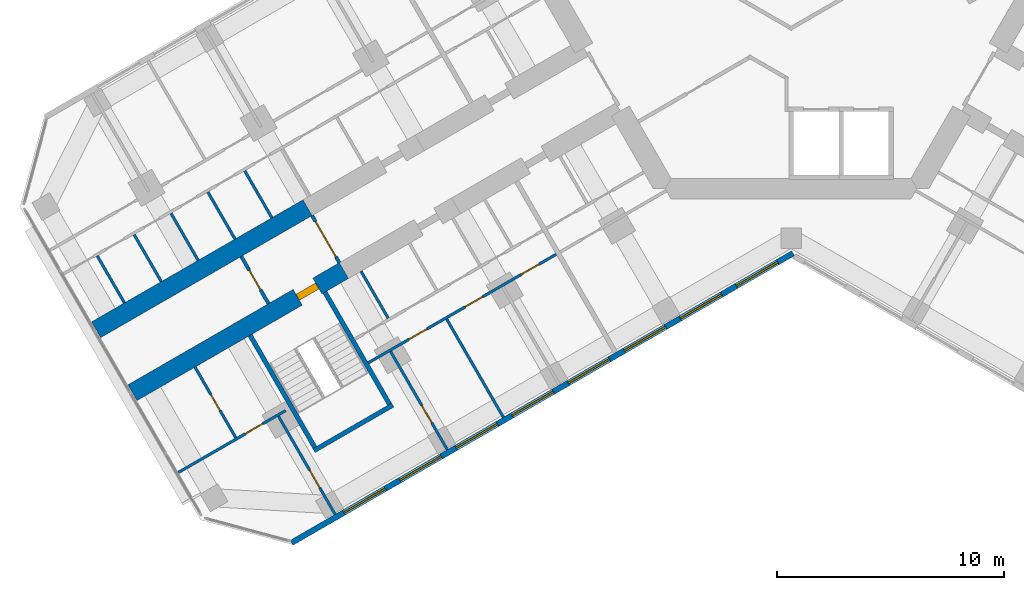
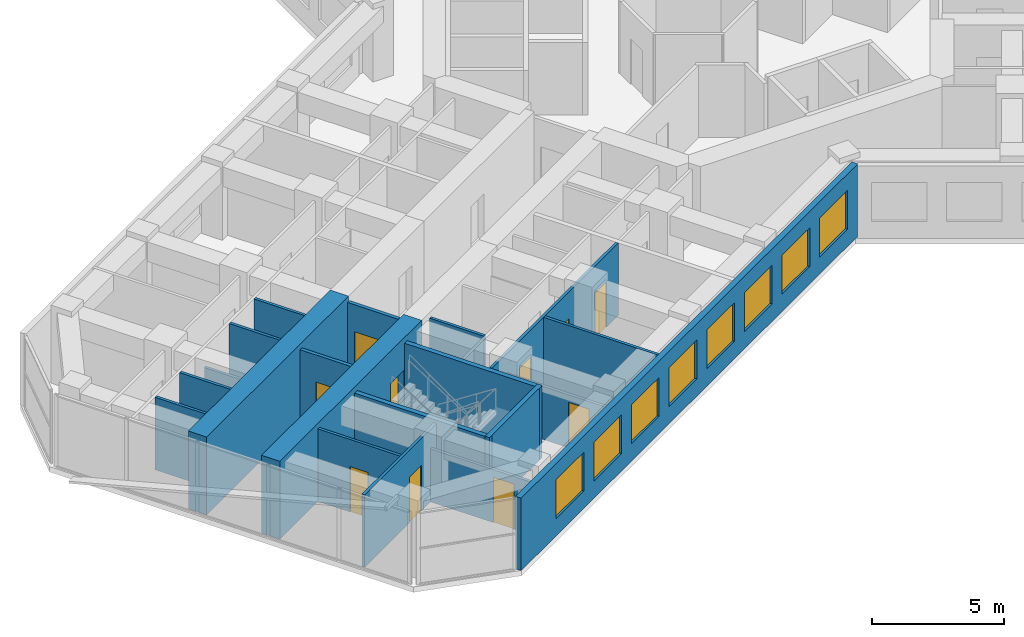
# One storey, part 10 of 19: 20 walls, 10 doors, 8 windows, 18 openings.
"""IFC4 building model written with IfcOpenShell, lengths in metres."""

import ifcopenshell
import ifcopenshell.guid

model = None  # the IFC model being written
_history = None  # IfcOwnerHistory: only IFC2X3 demands one
_inside = {}  # id of a spatial element -> (the spatial element, [elements in it])
_under = {}  # id of a project, library or spatial element -> (it, [spatial elements below it])
_declared = {}  # id of a project -> (the project, [libraries it declares])
_typed = {}  # id of a type object -> (the type object, [elements of that type])
_made_of = {}  # id of a material, layer set ... -> (it, [elements and type objects made of it])


def new_model(schema):
    """Start an empty IFC model of exactly this schema.

    Asked for "IFC4X3", IfcOpenShell would pick the latest addendum, in which some entities
    have other attributes; the version numbers below select the first issue.
    IFC2X3 requires an IfcOwnerHistory on every rooted entity: one is made here for all.
    """
    global model, _history
    if schema == "IFC4X3":
        model = ifcopenshell.file(schema_version=(4, 3, 0, 0))
    else:
        model = ifcopenshell.file(schema=schema)
    _inside.clear()
    _under.clear()
    _declared.clear()
    _typed.clear()
    _made_of.clear()
    _history = None
    if model.schema == "IFC2X3":
        org = make("IfcOrganization", Name="unknown")
        user = make(
            "IfcPersonAndOrganization",
            ThePerson=make("IfcPerson", FamilyName="unknown"),
            TheOrganization=org,
        )
        app = make(
            "IfcApplication",
            ApplicationDeveloper=org,
            Version="unknown",
            ApplicationFullName="unknown",
            ApplicationIdentifier="unknown",
        )
        _history = make(
            "IfcOwnerHistory",
            OwningUser=user,
            OwningApplication=app,
            ChangeAction="ADDED",
            CreationDate=0,
        )
    return model


def make(cls, **values):
    """One entity of the class cls with the attributes given. An attribute that is None is left unset."""
    return model.create_entity(
        cls, **{name: value for name, value in values.items() if value is not None}
    )


def rooted(cls, **values):
    """An entity with a GlobalId (a new one), such as an element, a storey or a relation."""
    return make(cls, GlobalId=ifcopenshell.guid.new(), OwnerHistory=_history, **values)


def si_unit(unit_type, name, prefix=None):
    """IfcSIUnit, for example si_unit("LENGTHUNIT", "METRE", prefix="MILLI")."""
    return make("IfcSIUnit", UnitType=unit_type, Prefix=prefix, Name=name)


def assignment(units):
    """IfcUnitAssignment: the units of a project."""
    return None if units is None else make("IfcUnitAssignment", Units=units)


def point(xyz):
    """IfcCartesianPoint."""
    return None if xyz is None else make("IfcCartesianPoint", Coordinates=xyz)


def direction(xyz):
    """IfcDirection."""
    return None if xyz is None else make("IfcDirection", DirectionRatios=xyz)


def frame(location, z_axis=None, x_axis=None):
    """IfcAxis2Placement3D, a coordinate frame: its origin and axes. An axis left out is left unset."""
    return make(
        "IfcAxis2Placement3D",
        Location=point(location),
        Axis=direction(z_axis),
        RefDirection=direction(x_axis),
    )


def frame_2d(location, x_axis=None):
    """IfcAxis2Placement2D, a coordinate frame in the plane: its origin and x axis."""
    return make(
        "IfcAxis2Placement2D", Location=point(location), RefDirection=direction(x_axis)
    )


def origin():
    """The frame at (0, 0, 0) with its axes left unset."""
    return frame((0.0, 0.0, 0.0))


def place(relative_to, where):
    """IfcLocalPlacement: puts the frame where relative to a parent placement (None: the world)."""
    return make(
        "IfcLocalPlacement", PlacementRelTo=relative_to, RelativePlacement=where
    )


def context(
    kind, dimensions, precision=None, world=None, true_north=None, identifier=None
):
    """IfcGeometricRepresentationContext, for example the 3D "Model" context."""
    return make(
        "IfcGeometricRepresentationContext",
        ContextIdentifier=identifier,
        ContextType=kind,
        CoordinateSpaceDimension=dimensions,
        Precision=precision,
        WorldCoordinateSystem=world,
        TrueNorth=true_north,
    )


def subcontext(parent, identifier, kind, view, scale=None):
    """IfcGeometricRepresentationSubContext, for example "Body" below "Model"."""
    return make(
        "IfcGeometricRepresentationSubContext",
        ContextIdentifier=identifier,
        ContextType=kind,
        ParentContext=parent,
        TargetScale=scale,
        TargetView=view,
    )


def project(units=None, contexts=None):
    """IfcProject with its units and contexts."""
    return rooted(
        "IfcProject",
        Name="project",
        RepresentationContexts=contexts,
        UnitsInContext=assignment(units),
    )


def spatial(cls, under=None, at=None, **own):
    """A site, building, storey or space (cls), placed at a placement, below another one or the project."""
    s = rooted(cls, ObjectPlacement=at, **own)
    if under is not None:
        _under.setdefault(under.id(), (under, []))[1].append(s)
    return s


def profile(cls, at=None, kind="AREA", **sizes):
    """A parametric profile (cls). Its sizes go by their IFC names, for example OverallWidth=200.0."""
    return make(cls, ProfileType=kind, Position=at, **sizes)


def rectangle(**sizes):
    """IfcRectangleProfileDef."""
    return profile("IfcRectangleProfileDef", **sizes)


def extrude(swept, where, along, depth):
    """IfcExtrudedAreaSolid: the profile swept, set in the frame where, extruded along a direction by depth."""
    return make(
        "IfcExtrudedAreaSolid",
        SweptArea=swept,
        Position=where,
        ExtrudedDirection=direction(along),
        Depth=depth,
    )


def shape(context_of_items, identifier, shape_type, items):
    """IfcShapeRepresentation: the items that make up one representation, for example the "Body"."""
    return make(
        "IfcShapeRepresentation",
        ContextOfItems=context_of_items,
        RepresentationIdentifier=identifier,
        RepresentationType=shape_type,
        Items=items,
    )


def material(Name=None, Category=None):
    """IfcMaterial."""
    return make("IfcMaterial", Name=Name, Category=Category)


def layer(
    of_material, thickness, ventilated=None, Name=None, Category=None, Priority=None
):
    """IfcMaterialLayer: one layer of a wall or slab, of a material (None: an air gap)."""
    return make(
        "IfcMaterialLayer",
        Material=of_material,
        LayerThickness=thickness,
        IsVentilated=ventilated,
        Name=Name,
        Category=Category,
        Priority=Priority,
    )


def layer_set(layers, Name=None):
    """IfcMaterialLayerSet."""
    return make("IfcMaterialLayerSet", MaterialLayers=layers, LayerSetName=Name)


def made_of(thing, what):
    """Note that an element or type object is made of a material, layer set ...; save() writes the relation."""
    if what is not None:
        _made_of.setdefault(what.id(), (what, []))[1].append(thing)
    return thing


def type_object(cls, material=None, **own):
    """A type object (cls), such as IfcWallType, which elements share."""
    return made_of(rooted(cls, **own), material)


def element(
    cls,
    number,
    at=None,
    inside=None,
    cuts=None,
    type_object=None,
    material=None,
    context=None,
    identifier="Body",
    shape_type=None,
    held_by="IfcProductDefinitionShape",
    body=None,
    shapes=None,
    **own,
):
    """One element of the class cls, such as IfcWall. Its Tag is "e" and its number.

    at: its placement. inside: the storey or other place that contains it. cuts: it is an
    opening in that element (IfcRelVoidsElement). A single representation is given by context,
    identifier, shape_type and body (its items); several are given by shapes. held_by: the class
    of the entity that holds the representations. save() writes the other relations.
    """
    e = rooted(cls, Tag="e%d" % number, ObjectPlacement=at, **own)
    if body is not None:
        shapes = [shape(context, identifier, shape_type, body)]
    if shapes is not None:
        e.Representation = make(held_by, Representations=shapes)
    if inside is not None:
        _inside.setdefault(inside.id(), (inside, []))[1].append(e)
    if cuts is not None:
        rooted(
            "IfcRelVoidsElement", RelatingBuildingElement=cuts, RelatedOpeningElement=e
        )
    if type_object is not None:
        _typed.setdefault(type_object.id(), (type_object, []))[1].append(e)
    return made_of(e, material)


def fill(opening, filler):
    """IfcRelFillsElement: the door or window that sits in an opening."""
    return rooted(
        "IfcRelFillsElement",
        RelatingOpeningElement=opening,
        RelatedBuildingElement=filler,
    )


def aggregate(whole, parts):
    """IfcRelAggregates: a whole, such as a stair, and the parts it consists of."""
    return rooted("IfcRelAggregates", RelatingObject=whole, RelatedObjects=parts)


def save(model, path):
    """Write the relations noted so far, then the file.

    IfcRelAggregates (storeys below a building ...), IfcRelContainedInSpatialStructure (elements
    in a storey), IfcRelDefinesByType, IfcRelAssociatesMaterial and IfcRelDeclares: one each for
    every whole, place, type object, material and project.
    """
    for whole, parts in _under.values():
        aggregate(whole, parts)
    for where, things in _inside.values():
        rooted(
            "IfcRelContainedInSpatialStructure",
            RelatedElements=things,
            RelatingStructure=where,
        )
    for kind, things in _typed.values():
        rooted("IfcRelDefinesByType", RelatedObjects=things, RelatingType=kind)
    for what, things in _made_of.values():
        rooted("IfcRelAssociatesMaterial", RelatedObjects=things, RelatingMaterial=what)
    for by, libraries in _declared.values():
        rooted("IfcRelDeclares", RelatingContext=by, RelatedDefinitions=libraries)
    model.write(path)


model = new_model("IFC4")

# Units and contexts
model_context = context("Model", 3, precision=1e-05, world=origin(), true_north=direction((0.0, 1.0)))
body_context = subcontext(model_context, "Body", "Model", "MODEL_VIEW")
ifc_project = project(units=[si_unit("LENGTHUNIT", "METRE"), si_unit("AREAUNIT", "SQUARE_METRE"), si_unit("VOLUMEUNIT", "CUBIC_METRE"), si_unit("PLANEANGLEUNIT", "RADIAN"), si_unit("MASSUNIT", "GRAM", prefix="KILO")], contexts=[model_context])

# Site, building, storey
site_placement = place(None, origin())
site = spatial("IfcSite", under=ifc_project, at=site_placement, CompositionType="ELEMENT")
building_placement = place(site_placement, origin())
building = spatial("IfcBuilding", under=site, at=building_placement, Name="Kosmar Iwan School Tower", CompositionType="ELEMENT")
storey_placement = place(building_placement, frame((0.0, 0.0, 138.199951171875)))
storey = spatial("IfcBuildingStorey", under=building, at=storey_placement, Name="L34", CompositionType="ELEMENT", Elevation=138.199951171875)

# Wall, opening, door
ifc_material_1 = material(Name="Concrete C50/60", Category="concrete")
ifc_layer_1 = layer(ifc_material_1, 0.800048828125)
ifc_layer_set_1 = layer_set([ifc_layer_1], Name="Corridor buttress wall 800")
wall_type_1 = type_object("IfcWallType", Name="Corridor buttress wall 800", PredefinedType="SHEAR", material=ifc_layer_set_1)
wall_1_placement = place(storey_placement, frame((-19.681396484375, -13.210693359375, 0.0), z_axis=(0.0, 0.0, 1.0), x_axis=(-0.866028186671, -0.499995179869, 0.0)))
wall_1 = element("IfcWall", 1, at=wall_1_placement, inside=storey, type_object=wall_type_1, Name="Corridor wall BL bay 3", PredefinedType="SHEAR", context=body_context, shape_type="SweptSolid", body=[
    extrude(rectangle(XDim=10.7451171875, YDim=0.800048828125, at=frame_2d((5.37255859375, 0.0))), origin(), (0.0, 0.0, 1.0), 3.60009765625),
])
opening_1_placement = place(wall_1_placement, frame((1.35009765625, 0.0, 0.0)))
opening_1 = element("IfcOpeningElement", 2, at=opening_1_placement, cuts=wall_1, Name="Opening D6", PredefinedType="OPENING", context=body_context, shape_type="SweptSolid", body=[
    extrude(rectangle(XDim=1.0, YDim=2.10009765625, at=frame_2d((0.5, 1.050048828125))), frame((0.0, 0.412109375, 0.0), z_axis=(0.0, -1.0, 0.0), x_axis=(1.0, 0.0, 0.0)), (0.0, 0.0, 1.0), 0.823974609375),
])
ifc_material_2 = material(Name="Steel fire door", Category="steel")
door_type_1 = type_object("IfcDoorType", Name="Stair door 1000x2100", OperationType="SINGLE_SWING_LEFT", PredefinedType="DOOR", material=ifc_material_2)
door_1_placement = place(opening_1_placement, origin())
door_1 = element("IfcDoor", 3, at=door_1_placement, inside=storey, type_object=door_type_1, Name="Stair WS2 door L34", OperationType="SINGLE_SWING_LEFT", OverallHeight=2.10009765625, OverallWidth=1.0, PredefinedType="DOOR", context=body_context, shape_type="SweptSolid", body=[
    extrude(rectangle(XDim=1.0, YDim=2.10009765625, at=frame_2d((0.5, 1.050048828125))), frame((0.0, 0.14990234375, 0.0), z_axis=(0.0, -1.0, 0.0), x_axis=(1.0, 0.0, 0.0)), (0.0, 0.0, 1.0), 0.300048828125),
])
fill(opening_1, door_1)

# Wall
wall_2_placement = place(storey_placement, frame((-21.281494140625, -10.439453125, 0.0), z_axis=(0.0, 0.0, 1.0), x_axis=(-0.866032345022, -0.499987977232, 0.0)))
element("IfcWall", 4, at=wall_2_placement, inside=storey, type_object=wall_type_1, Name="Corridor wall BR bay 3", PredefinedType="SHEAR", context=body_context, shape_type="SweptSolid", body=[
    extrude(rectangle(XDim=10.744873046875, YDim=0.800048828125, at=frame_2d((5.37255859375, 0.0))), origin(), (0.0, 0.0, 1.0), 3.60009765625),
])

# Wall, opening, door
ifc_material_3 = material(Name="Gypsum board on steel studs, fire-rated", Category="steel")
ifc_layer_2 = layer(ifc_material_3, 0.14990234375)
ifc_layer_set_2 = layer_set([ifc_layer_2], Name="Corridor end wall 150")
wall_type_2 = type_object("IfcWallType", Name="Corridor end wall 150", PredefinedType="PARTITIONING", material=ifc_layer_set_2)
wall_3_placement = place(storey_placement, frame((-24.19921875, -12.585693359375, 0.0), z_axis=(0.0, 0.0, 1.0), x_axis=(0.499957262057, -0.866050077142, 0.0)))
wall_3 = element("IfcWall", 5, at=wall_3_placement, inside=storey, type_object=wall_type_2, Name="Partition L34-B-CE", PredefinedType="PARTITIONING", context=body_context, shape_type="SweptSolid", body=[
    extrude(rectangle(XDim=2.400146484375, YDim=0.14990234375, at=frame_2d((1.2001953125, 0.0))), origin(), (0.0, 0.0, 1.0), 3.35009765625),
])
opening_2_placement = place(wall_3_placement, frame((0.699951171875, 0.0, 0.0)))
opening_2 = element("IfcOpeningElement", 6, at=opening_2_placement, cuts=wall_3, Name="Opening D13", PredefinedType="OPENING", context=body_context, shape_type="SweptSolid", body=[
    extrude(rectangle(XDim=1.0, YDim=2.10009765625, at=frame_2d((0.5, 1.050048828125))), frame((0.0, 0.0869140625, 0.0), z_axis=(0.0, -1.0, 0.0), x_axis=(1.0, 0.0, 0.0)), (0.0, 0.0, 1.0), 0.173828125),
])
ifc_material_4 = material(Name="Timber fire door with vision panel", Category="wood")
door_type_2 = type_object("IfcDoorType", Name="Corridor end door 1000x2100", OperationType="SINGLE_SWING_LEFT", PredefinedType="DOOR", material=ifc_material_4)
door_2_placement = place(opening_2_placement, origin())
door_2 = element("IfcDoor", 7, at=door_2_placement, inside=storey, type_object=door_type_2, Name="Laundry and drying room door L34-B", OperationType="SINGLE_SWING_LEFT", OverallHeight=2.10009765625, OverallWidth=1.0, PredefinedType="DOOR", context=body_context, shape_type="SweptSolid", body=[
    extrude(rectangle(XDim=1.0, YDim=2.10009765625, at=frame_2d((0.5, 1.050048828125))), frame((0.0, 0.02490234375, 0.0), z_axis=(0.0, -1.0, 0.0), x_axis=(1.0, 0.0, 0.0)), (0.0, 0.0, 1.0), 0.050048828125),
])
fill(opening_2, door_2)

wall_4_placement = place(storey_placement, frame((-21.08154296875, -10.78564453125, 0.0), z_axis=(0.0, 0.0, 1.0), x_axis=(0.499957262057, -0.866050077142, 0.0)))
wall_4 = element("IfcWall", 8, at=wall_4_placement, inside=storey, type_object=wall_type_2, Name="Partition L34-B-HW", PredefinedType="PARTITIONING", context=body_context, shape_type="SweptSolid", body=[
    extrude(rectangle(XDim=2.400146484375, YDim=0.14990234375, at=frame_2d((1.2001953125, 0.0))), origin(), (0.0, 0.0, 1.0), 3.35009765625),
])
opening_3_placement = place(wall_4_placement, frame((0.300048828125, 0.0, 0.0)))
opening_3 = element("IfcOpeningElement", 9, at=opening_3_placement, cuts=wall_4, Name="Opening D9", PredefinedType="OPENING", context=body_context, shape_type="SweptSolid", body=[
    extrude(rectangle(XDim=1.800048828125, YDim=2.10009765625, at=frame_2d((0.89990234375, 1.050048828125))), frame((0.0, 0.0869140625, 0.0), z_axis=(0.0, -1.0, 0.0), x_axis=(1.0, 0.0, 0.0)), (0.0, 0.0, 1.0), 0.173828125),
])
ifc_material_5 = material(Name="Steel framed glazed smoke door", Category="steel")
door_type_3 = type_object("IfcDoorType", Name="Corridor smoke door pair 1800x2100", OperationType="DOUBLE_DOOR_DOUBLE_SWING", PredefinedType="DOOR", material=ifc_material_5)
door_3_placement = place(opening_3_placement, origin())
door_3 = element("IfcDoor", 10, at=door_3_placement, inside=storey, type_object=door_type_3, Name="Hashti vestibule smoke doors L34-B", OperationType="DOUBLE_DOOR_DOUBLE_SWING", OverallHeight=2.10009765625, OverallWidth=1.800048828125, PredefinedType="DOOR", context=body_context, shape_type="SweptSolid", body=[
    extrude(rectangle(XDim=1.800048828125, YDim=2.10009765625, at=frame_2d((0.89990234375, 1.050048828125))), frame((0.0, 0.02490234375, 0.0), z_axis=(0.0, -1.0, 0.0), x_axis=(1.0, 0.0, 0.0)), (0.0, 0.0, 1.0), 0.050048828125),
])
fill(opening_3, door_3)

# Wall, openings, doors
ifc_material_6 = material(Name="Gypsum board on steel studs", Category="steel")
ifc_layer_3 = layer(ifc_material_6, 0.1201171875)
ifc_layer_set_3 = layer_set([ifc_layer_3], Name="Dwelling partition 120")
wall_type_3 = type_object("IfcWallType", Name="Dwelling partition 120", PredefinedType="PARTITIONING", material=ifc_layer_set_3)
wall_5_placement = place(storey_placement, frame((-10.338623046875, -12.492919921875, 0.0), z_axis=(0.0, 0.0, 1.0), x_axis=(-0.866017851049, -0.500013081493, 0.0)))
wall_5 = element("IfcWall", 11, at=wall_5_placement, inside=storey, type_object=wall_type_3, Name="Partition L34-BL2-W2", PredefinedType="PARTITIONING", context=body_context, shape_type="SweptSolid", body=[
    extrude(rectangle(XDim=9.550048828125, YDim=0.1201171875, at=frame_2d((4.77490234375, 0.0))), origin(), (0.0, 0.0, 1.0), 3.35009765625),
])
opening_4_placement = place(wall_5_placement, frame((0.875, 0.0, 0.0)))
opening_4 = element("IfcOpeningElement", 12, at=opening_4_placement, cuts=wall_5, Name="Opening D2", PredefinedType="OPENING", context=body_context, shape_type="SweptSolid", body=[
    extrude(rectangle(XDim=0.89990234375, YDim=2.10009765625, at=frame_2d((0.449951171875, 1.050048828125))), frame((0.0, 0.072021484375, 0.0), z_axis=(0.0, -1.0, 0.0), x_axis=(1.0, 0.0, 0.0)), (0.0, 0.0, 1.0), 0.14404296875),
])
opening_5_placement = place(wall_5_placement, frame((3.72509765625, 0.0, 0.0)))
opening_5 = element("IfcOpeningElement", 13, at=opening_5_placement, cuts=wall_5, Name="Opening D2", PredefinedType="OPENING", context=body_context, shape_type="SweptSolid", body=[
    extrude(rectangle(XDim=0.89990234375, YDim=2.10009765625, at=frame_2d((0.449951171875, 1.050048828125))), frame((0.0, 0.072021484375, 0.0), z_axis=(0.0, -1.0, 0.0), x_axis=(1.0, 0.0, 0.0)), (0.0, 0.0, 1.0), 0.14404296875),
])
opening_6_placement = place(wall_5_placement, frame((6.574951171875, 0.0, 0.0)))
opening_6 = element("IfcOpeningElement", 14, at=opening_6_placement, cuts=wall_5, Name="Opening D2", PredefinedType="OPENING", context=body_context, shape_type="SweptSolid", body=[
    extrude(rectangle(XDim=0.89990234375, YDim=2.10009765625, at=frame_2d((0.449951171875, 1.050048828125))), frame((0.0, 0.072021484375, 0.0), z_axis=(0.0, -1.0, 0.0), x_axis=(1.0, 0.0, 0.0)), (0.0, 0.0, 1.0), 0.14404296875),
])
ifc_material_7 = material(Name="Timber door in timber frame", Category="wood")
door_type_4 = type_object("IfcDoorType", Name="Internal door 900x2100", OperationType="SINGLE_SWING_LEFT", PredefinedType="DOOR", material=ifc_material_7)
door_4_placement = place(opening_4_placement, origin())
door_4 = element("IfcDoor", 15, at=door_4_placement, inside=storey, type_object=door_type_4, Name="Family room and kitchen door L34-BL2-F1", OperationType="SINGLE_SWING_LEFT", OverallHeight=2.10009765625, OverallWidth=0.89990234375, PredefinedType="DOOR", context=body_context, shape_type="SweptSolid", body=[
    extrude(rectangle(XDim=0.89990234375, YDim=2.10009765625, at=frame_2d((0.449951171875, 1.050048828125))), frame((0.0, 0.02490234375, 0.0), z_axis=(0.0, -1.0, 0.0), x_axis=(1.0, 0.0, 0.0)), (0.0, 0.0, 1.0), 0.050048828125),
])
fill(opening_4, door_4)
door_5_placement = place(opening_5_placement, origin())
door_5 = element("IfcDoor", 16, at=door_5_placement, inside=storey, type_object=door_type_4, Name="Bedroom 2 door L34-BL2-F2", OperationType="SINGLE_SWING_RIGHT", OverallHeight=2.10009765625, OverallWidth=0.89990234375, PredefinedType="DOOR", context=body_context, shape_type="SweptSolid", body=[
    extrude(rectangle(XDim=0.89990234375, YDim=2.10009765625, at=frame_2d((0.449951171875, 1.050048828125))), frame((0.0, 0.02490234375, 0.0), z_axis=(0.0, -1.0, 0.0), x_axis=(1.0, 0.0, 0.0)), (0.0, 0.0, 1.0), 0.050048828125),
])
fill(opening_5, door_5)
door_6_placement = place(opening_6_placement, origin())
door_6 = element("IfcDoor", 17, at=door_6_placement, inside=storey, type_object=door_type_4, Name="Bedroom 1 door L34-BL2-F3", OperationType="SINGLE_SWING_LEFT", OverallHeight=2.10009765625, OverallWidth=0.89990234375, PredefinedType="DOOR", context=body_context, shape_type="SweptSolid", body=[
    extrude(rectangle(XDim=0.89990234375, YDim=2.10009765625, at=frame_2d((0.449951171875, 1.050048828125))), frame((0.0, 0.02490234375, 0.0), z_axis=(0.0, -1.0, 0.0), x_axis=(1.0, 0.0, 0.0)), (0.0, 0.0, 1.0), 0.050048828125),
])
fill(opening_6, door_6)

# Walls
wall_6_placement = place(storey_placement, frame((-15.158447265625, -15.344970703125, 0.0), z_axis=(0.0, 0.0, 1.0), x_axis=(0.500011847778, -0.866018563358, 0.0)))
element("IfcWall", 18, at=wall_6_placement, inside=storey, type_object=wall_type_3, Name="Partition L34-BL2-X2", PredefinedType="PARTITIONING", context=body_context, shape_type="SweptSolid", body=[
    extrude(rectangle(XDim=4.990234375, YDim=0.1201171875, at=frame_2d((2.4951171875, 0.0))), origin(), (0.0, 0.0, 1.0), 3.35009765625),
])
wall_7_placement = place(storey_placement, frame((-18.92724609375, -13.237060546875, 0.0), z_axis=(0.0, 0.0, 1.0), x_axis=(0.500017192868, -0.86601547725, 0.0)))
element("IfcWall", 19, at=wall_7_placement, inside=storey, type_object=wall_type_3, Name="Partition L34-BL2-Y4", PredefinedType="PARTITIONING", context=body_context, shape_type="SweptSolid", body=[
    extrude(rectangle(XDim=2.39013671875, YDim=0.1201171875, at=frame_2d((1.195068359375, 0.0))), origin(), (0.0, 0.0, 1.0), 3.35009765625),
])

# Wall, opening, door
wall_8_placement = place(storey_placement, frame((-17.62646484375, -16.77001953125, 0.0), z_axis=(0.0, 0.0, 1.0), x_axis=(0.499975153383, -0.86603974851, 0.0)))
wall_8 = element("IfcWall", 20, at=wall_8_placement, inside=storey, type_object=wall_type_3, Name="Partition L34-BL2-TB", PredefinedType="PARTITIONING", context=body_context, shape_type="SweptSolid", body=[
    extrude(rectangle(XDim=4.989990234375, YDim=0.1201171875, at=frame_2d((2.4951171875, 0.0))), origin(), (0.0, 0.0, 1.0), 2.449951171875),
])
opening_7_placement = place(wall_8_placement, frame((2.739990234375, 0.0, 0.0)))
opening_7 = element("IfcOpeningElement", 21, at=opening_7_placement, cuts=wall_8, Name="Opening D2", PredefinedType="OPENING", context=body_context, shape_type="SweptSolid", body=[
    extrude(rectangle(XDim=0.89990234375, YDim=2.10009765625, at=frame_2d((0.449951171875, 1.050048828125))), frame((0.0, 0.072021484375, 0.0), z_axis=(0.0, -1.0, 0.0), x_axis=(1.0, 0.0, 0.0)), (0.0, 0.0, 1.0), 0.14404296875),
])
door_7_placement = place(opening_7_placement, origin())
door_7 = element("IfcDoor", 22, at=door_7_placement, inside=storey, type_object=door_type_4, Name="Study door L34-BL2-F3", OperationType="SINGLE_SWING_RIGHT", OverallHeight=2.10009765625, OverallWidth=0.89990234375, PredefinedType="DOOR", context=body_context, shape_type="SweptSolid", body=[
    extrude(rectangle(XDim=0.89990234375, YDim=2.10009765625, at=frame_2d((0.449951171875, 1.050048828125))), frame((0.0, 0.02490234375, 0.0), z_axis=(0.0, -1.0, 0.0), x_axis=(1.0, 0.0, 0.0)), (0.0, 0.0, 1.0), 0.050048828125),
])
fill(opening_7, door_7)

wall_9_placement = place(storey_placement, frame((-22.562744140625, -19.6201171875, 0.0), z_axis=(0.0, 0.0, 1.0), x_axis=(0.499996339024, -0.86602751744, 0.0)))
wall_9 = element("IfcWall", 23, at=wall_9_placement, inside=storey, type_object=wall_type_3, Name="Partition L34-BL2-TX", PredefinedType="PARTITIONING", context=body_context, shape_type="SweptSolid", body=[
    extrude(rectangle(XDim=4.98974609375, YDim=0.1201171875, at=frame_2d((2.494873046875, 0.0))), origin(), (0.0, 0.0, 1.0), 2.449951171875),
])
opening_8_placement = place(wall_9_placement, frame((2.739990234375, 0.0, 0.0)))
opening_8 = element("IfcOpeningElement", 24, at=opening_8_placement, cuts=wall_9, Name="Opening D2", PredefinedType="OPENING", context=body_context, shape_type="SweptSolid", body=[
    extrude(rectangle(XDim=0.89990234375, YDim=2.10009765625, at=frame_2d((0.449951171875, 1.050048828125))), frame((0.0, 0.072021484375, 0.0), z_axis=(0.0, -1.0, 0.0), x_axis=(1.0, 0.0, 0.0)), (0.0, 0.0, 1.0), 0.14404296875),
])
door_8_placement = place(opening_8_placement, origin())
door_8 = element("IfcDoor", 25, at=door_8_placement, inside=storey, type_object=door_type_4, Name="Study door L34-BL2-T1", OperationType="SINGLE_SWING_RIGHT", OverallHeight=2.10009765625, OverallWidth=0.89990234375, PredefinedType="DOOR", context=body_context, shape_type="SweptSolid", body=[
    extrude(rectangle(XDim=0.89990234375, YDim=2.10009765625, at=frame_2d((0.449951171875, 1.050048828125))), frame((0.0, 0.02490234375, 0.0), z_axis=(0.0, -1.0, 0.0), x_axis=(1.0, 0.0, 0.0)), (0.0, 0.0, 1.0), 0.050048828125),
])
fill(opening_8, door_8)

wall_10_placement = place(storey_placement, frame((-22.246337890625, -19.3681640625, 0.0), z_axis=(0.0, 0.0, 1.0), x_axis=(-0.866035508231, -0.499982498177, 0.0)))
wall_10 = element("IfcWall", 26, at=wall_10_placement, inside=storey, type_object=wall_type_3, Name="Partition L34-BL2-TW", PredefinedType="PARTITIONING", context=body_context, shape_type="SweptSolid", body=[
    extrude(rectangle(XDim=5.445068359375, YDim=0.1201171875, at=frame_2d((2.72265625, 0.0))), origin(), (0.0, 0.0, 1.0), 3.35009765625),
])
opening_9_placement = place(wall_10_placement, frame((1.14990234375, 0.0, 0.0)))
opening_9 = element("IfcOpeningElement", 27, at=opening_9_placement, cuts=wall_10, Name="Opening D2", PredefinedType="OPENING", context=body_context, shape_type="SweptSolid", body=[
    extrude(rectangle(XDim=0.89990234375, YDim=2.10009765625, at=frame_2d((0.449951171875, 1.050048828125))), frame((0.0, 0.072021484375, 0.0), z_axis=(0.0, -1.0, 0.0), x_axis=(1.0, 0.0, 0.0)), (0.0, 0.0, 1.0), 0.14404296875),
])
door_9_placement = place(opening_9_placement, origin())
door_9 = element("IfcDoor", 28, at=door_9_placement, inside=storey, type_object=door_type_4, Name="Dressing room door L34-BL2-T3", OperationType="SINGLE_SWING_LEFT", OverallHeight=2.10009765625, OverallWidth=0.89990234375, PredefinedType="DOOR", context=body_context, shape_type="SweptSolid", body=[
    extrude(rectangle(XDim=0.89990234375, YDim=2.10009765625, at=frame_2d((0.449951171875, 1.050048828125))), frame((0.0, 0.02490234375, 0.0), z_axis=(0.0, -1.0, 0.0), x_axis=(1.0, 0.0, 0.0)), (0.0, 0.0, 1.0), 0.050048828125),
])
fill(opening_9, door_9)

wall_11_placement = place(storey_placement, frame((-26.236572265625, -17.45703125, 0.0), z_axis=(0.0, 0.0, 1.0), x_axis=(0.50002266109, -0.866012320003, 0.0)))
wall_11 = element("IfcWall", 29, at=wall_11_placement, inside=storey, type_object=wall_type_3, Name="Partition L34-BL2-TY", PredefinedType="PARTITIONING", context=body_context, shape_type="SweptSolid", body=[
    extrude(rectangle(XDim=3.590087890625, YDim=0.1201171875, at=frame_2d((1.794921875, 0.0))), origin(), (0.0, 0.0, 1.0), 3.35009765625),
])
opening_10_placement = place(wall_11_placement, frame((1.39501953125, 0.0, 0.0)))
opening_10 = element("IfcOpeningElement", 30, at=opening_10_placement, cuts=wall_11, Name="Opening D3", PredefinedType="OPENING", context=body_context, shape_type="SweptSolid", body=[
    extrude(rectangle(XDim=0.800048828125, YDim=2.10009765625, at=frame_2d((0.39990234375, 1.050048828125))), frame((0.0, 0.072021484375, 0.0), z_axis=(0.0, -1.0, 0.0), x_axis=(1.0, 0.0, 0.0)), (0.0, 0.0, 1.0), 0.14404296875),
])
ifc_material_8 = material(Name="Timber door in timber frame", Category="wood")
door_type_5 = type_object("IfcDoorType", Name="Sanitary room door 800x2100", OperationType="SINGLE_SWING_LEFT", PredefinedType="DOOR", material=ifc_material_8)
door_10_placement = place(opening_10_placement, origin())
door_10 = element("IfcDoor", 31, at=door_10_placement, inside=storey, type_object=door_type_5, Name="Shower room door L34-BL2-T4", OperationType="SINGLE_SWING_RIGHT", OverallHeight=2.10009765625, OverallWidth=0.800048828125, PredefinedType="DOOR", context=body_context, shape_type="SweptSolid", body=[
    extrude(rectangle(XDim=0.800048828125, YDim=2.10009765625, at=frame_2d((0.39990234375, 1.050048828125))), frame((0.0, 0.02490234375, 0.0), z_axis=(0.0, -1.0, 0.0), x_axis=(1.0, 0.0, 0.0)), (0.0, 0.0, 1.0), 0.050048828125),
])
fill(opening_10, door_10)

# Walls
wall_12_placement = place(storey_placement, frame((-22.852783203125, -10.884521484375, 0.0), z_axis=(0.0, 0.0, 1.0), x_axis=(-0.499940577336, 0.866059708757, 0.0)))
element("IfcWall", 32, at=wall_12_placement, inside=storey, type_object=wall_type_3, Name="Partition L34-BR2-Y3", PredefinedType="PARTITIONING", context=body_context, shape_type="SweptSolid", body=[
    extrude(rectangle(XDim=2.389892578125, YDim=0.1201171875, at=frame_2d((1.19482421875, 0.0))), origin(), (0.0, 0.0, 1.0), 3.35009765625),
])
wall_13_placement = place(storey_placement, frame((-24.47509765625, -11.8212890625, 0.0), z_axis=(0.0, 0.0, 1.0), x_axis=(-0.500017192868, 0.86601547725, 0.0)))
element("IfcWall", 33, at=wall_13_placement, inside=storey, type_object=wall_type_3, Name="Partition L34-BR2-Y4", PredefinedType="PARTITIONING", context=body_context, shape_type="SweptSolid", body=[
    extrude(rectangle(XDim=2.39013671875, YDim=0.1201171875, at=frame_2d((1.195068359375, 0.0))), origin(), (0.0, 0.0, 1.0), 3.35009765625),
])
wall_14_placement = place(storey_placement, frame((-26.097412109375, -12.758056640625, 0.0), z_axis=(0.0, 0.0, 1.0), x_axis=(-0.500017192868, 0.86601547725, 0.0)))
element("IfcWall", 34, at=wall_14_placement, inside=storey, type_object=wall_type_3, Name="Partition L34-BR2-Y5", PredefinedType="PARTITIONING", context=body_context, shape_type="SweptSolid", body=[
    extrude(rectangle(XDim=2.39013671875, YDim=0.1201171875, at=frame_2d((1.195068359375, 0.0))), origin(), (0.0, 0.0, 1.0), 2.449951171875),
])
for number, where, z_axis, x_axis, name in (
    (35, (-27.7197265625, -13.694580078125, 0.0), (0.0, 0.0, 1.0), (-0.500017192868, 0.86601547725, 0.0), "Partition L34-BR2-Y6"),
    (36, (-29.342041015625, -14.63134765625, 0.0), (0.0, 0.0, 1.0), (-0.500017192868, 0.86601547725, 0.0), "Partition L34-BR2-Y7"),
):
    element("IfcWall", number, at=place(storey_placement, frame(where, z_axis=z_axis, x_axis=x_axis)), inside=storey, type_object=wall_type_3, Name=name, PredefinedType="PARTITIONING", context=body_context, shape_type="SweptSolid", body=[
        extrude(rectangle(XDim=2.39013671875, YDim=0.1201171875, at=frame_2d((1.195068359375, 0.0))), origin(), (0.0, 0.0, 1.0), 3.35009765625),
    ])
ifc_material_9 = material(Name="Concrete C35/45", Category="concrete")
ifc_layer_4 = layer(ifc_material_9, 0.199951171875)
ifc_layer_set_4 = layer_set([ifc_layer_4], Name="Escape stair wall 200")
wall_type_4 = type_object("IfcWallType", Name="Escape stair wall 200", PredefinedType="SHEAR", material=ifc_layer_set_4)
wall_15_placement = place(storey_placement, frame((-20.520751953125, -14.156982421875, 0.0), z_axis=(0.0, 0.0, 1.0), x_axis=(0.499988710057, -0.866031921938, 0.0)))
element("IfcWall", 37, at=wall_15_placement, inside=storey, type_object=wall_type_4, Name="Stair WS2 wall", PredefinedType="SHEAR", context=body_context, shape_type="SweptSolid", body=[
    extrude(rectangle(XDim=5.900146484375, YDim=0.199951171875, at=frame_2d((2.9501953125, 0.0))), origin(), (0.0, 0.0, 1.0), 3.330078125),
])
wall_16_placement = place(storey_placement, frame((-23.8115234375, -16.05712890625, 0.0), z_axis=(0.0, 0.0, 1.0), x_axis=(0.500006628179, -0.86602157697, 0.0)))
element("IfcWall", 38, at=wall_16_placement, inside=storey, type_object=wall_type_4, Name="Stair WS2 wall", PredefinedType="SHEAR", context=body_context, shape_type="SweptSolid", body=[
    extrude(rectangle(XDim=5.89990234375, YDim=0.199951171875, at=frame_2d((2.949951171875, 0.0))), origin(), (0.0, 0.0, 1.0), 3.330078125),
])
wall_17_placement = place(storey_placement, frame((-17.5341796875, -19.1298828125, 0.0), z_axis=(0.0, 0.0, 1.0), x_axis=(-0.866026010844, -0.49999894854, 0.0)))
element("IfcWall", 39, at=wall_17_placement, inside=storey, type_object=wall_type_4, Name="Stair WS2 wall", PredefinedType="SHEAR", context=body_context, shape_type="SweptSolid", body=[
    extrude(rectangle(XDim=4.0, YDim=0.199951171875, at=frame_2d((2.0, 0.0))), origin(), (0.0, 0.0, 1.0), 3.330078125),
])

# Wall, openings, windows
ifc_material_10 = material(Name="Black aluminium rainscreen on insulated framing", Category="aluminium")
ifc_layer_5 = layer(ifc_material_10, 0.25)
ifc_layer_set_5 = layer_set([ifc_layer_5], Name="External wall rainscreen 250")
wall_type_5 = type_object("IfcWallType", Name="External wall rainscreen 250", PredefinedType="SOLIDWALL", material=ifc_layer_set_5)
wall_18_placement = place(storey_placement, frame((0.088134765625, -12.44873046875, 0.0), z_axis=(0.0, 0.0, 1.0), x_axis=(-0.866026390279, -0.499998291337, 0.0)))
wall_18 = element("IfcWall", 40, at=wall_18_placement, inside=storey, type_object=wall_type_5, Name="External wall BL L34", PredefinedType="SOLIDWALL", context=body_context, shape_type="SweptSolid", body=[
    extrude(rectangle(XDim=25.4873046875, YDim=0.25, at=frame_2d((12.74365234375, 0.0))), origin(), (0.0, 0.0, 1.0), 3.35009765625),
])
opening_11_placement = place(wall_18_placement, frame((0.777099609375, 0.0, 0.800048828125)))
opening_11 = element("IfcOpeningElement", 41, at=opening_11_placement, cuts=wall_18, Name="Opening W4", PredefinedType="OPENING", context=body_context, shape_type="SweptSolid", body=[
    extrude(rectangle(XDim=2.10009765625, YDim=1.800048828125, at=frame_2d((1.050048828125, 0.89990234375))), frame((0.0, 0.136962890625, 0.0), z_axis=(0.0, -1.0, 0.0), x_axis=(1.0, 0.0, 0.0)), (0.0, 0.0, 1.0), 0.27392578125),
])
opening_12_placement = place(wall_18_placement, frame((3.626953125, 0.0, 0.800048828125)))
opening_12 = element("IfcOpeningElement", 42, at=opening_12_placement, cuts=wall_18, Name="Opening W4", PredefinedType="OPENING", context=body_context, shape_type="SweptSolid", body=[
    extrude(rectangle(XDim=2.10009765625, YDim=1.800048828125, at=frame_2d((1.050048828125, 0.89990234375))), frame((0.0, 0.136962890625, 0.0), z_axis=(0.0, -1.0, 0.0), x_axis=(1.0, 0.0, 0.0)), (0.0, 0.0, 1.0), 0.27392578125),
])
opening_13_placement = place(wall_18_placement, frame((6.47705078125, 0.0, 0.800048828125)))
opening_13 = element("IfcOpeningElement", 43, at=opening_13_placement, cuts=wall_18, Name="Opening W4", PredefinedType="OPENING", context=body_context, shape_type="SweptSolid", body=[
    extrude(rectangle(XDim=2.10009765625, YDim=1.800048828125, at=frame_2d((1.050048828125, 0.89990234375))), frame((0.0, 0.136962890625, 0.0), z_axis=(0.0, -1.0, 0.0), x_axis=(1.0, 0.0, 0.0)), (0.0, 0.0, 1.0), 0.27392578125),
])
opening_14_placement = place(wall_18_placement, frame((9.326904296875, 0.0, 0.800048828125)))
opening_14 = element("IfcOpeningElement", 44, at=opening_14_placement, cuts=wall_18, Name="Opening W4", PredefinedType="OPENING", context=body_context, shape_type="SweptSolid", body=[
    extrude(rectangle(XDim=2.10009765625, YDim=1.800048828125, at=frame_2d((1.050048828125, 0.89990234375))), frame((0.0, 0.136962890625, 0.0), z_axis=(0.0, -1.0, 0.0), x_axis=(1.0, 0.0, 0.0)), (0.0, 0.0, 1.0), 0.27392578125),
])
opening_15_placement = place(wall_18_placement, frame((12.177001953125, 0.0, 0.800048828125)))
opening_15 = element("IfcOpeningElement", 45, at=opening_15_placement, cuts=wall_18, Name="Opening W4", PredefinedType="OPENING", context=body_context, shape_type="SweptSolid", body=[
    extrude(rectangle(XDim=2.10009765625, YDim=1.800048828125, at=frame_2d((1.050048828125, 0.89990234375))), frame((0.0, 0.136962890625, 0.0), z_axis=(0.0, -1.0, 0.0), x_axis=(1.0, 0.0, 0.0)), (0.0, 0.0, 1.0), 0.27392578125),
])
opening_16_placement = place(wall_18_placement, frame((15.027099609375, 0.0, 0.800048828125)))
opening_16 = element("IfcOpeningElement", 46, at=opening_16_placement, cuts=wall_18, Name="Opening W4", PredefinedType="OPENING", context=body_context, shape_type="SweptSolid", body=[
    extrude(rectangle(XDim=2.10009765625, YDim=1.800048828125, at=frame_2d((1.050048828125, 0.89990234375))), frame((0.0, 0.136962890625, 0.0), z_axis=(0.0, -1.0, 0.0), x_axis=(1.0, 0.0, 0.0)), (0.0, 0.0, 1.0), 0.27392578125),
])
opening_17_placement = place(wall_18_placement, frame((17.876953125, 0.0, 0.800048828125)))
opening_17 = element("IfcOpeningElement", 47, at=opening_17_placement, cuts=wall_18, Name="Opening W4", PredefinedType="OPENING", context=body_context, shape_type="SweptSolid", body=[
    extrude(rectangle(XDim=2.10009765625, YDim=1.800048828125, at=frame_2d((1.050048828125, 0.89990234375))), frame((0.0, 0.136962890625, 0.0), z_axis=(0.0, -1.0, 0.0), x_axis=(1.0, 0.0, 0.0)), (0.0, 0.0, 1.0), 0.27392578125),
])
opening_18_placement = place(wall_18_placement, frame((20.72705078125, 0.0, 0.800048828125)))
opening_18 = element("IfcOpeningElement", 48, at=opening_18_placement, cuts=wall_18, Name="Opening W4", PredefinedType="OPENING", context=body_context, shape_type="SweptSolid", body=[
    extrude(rectangle(XDim=2.10009765625, YDim=1.800048828125, at=frame_2d((1.050048828125, 0.89990234375))), frame((0.0, 0.136962890625, 0.0), z_axis=(0.0, -1.0, 0.0), x_axis=(1.0, 0.0, 0.0)), (0.0, 0.0, 1.0), 0.27392578125),
])
ifc_material_11 = material(Name="Black aluminium frame with dark triple glazing", Category="aluminium")
window_type = type_object("IfcWindowType", Name="Window 2100x1800", PartitioningType="SINGLE_PANEL", PredefinedType="WINDOW", material=ifc_material_11)
window_1_placement = place(opening_11_placement, origin())
window_1 = element("IfcWindow", 49, at=window_1_placement, inside=storey, type_object=window_type, Name="Window BL L34 -1", OverallHeight=1.800048828125, OverallWidth=2.10009765625, PartitioningType="SINGLE_PANEL", PredefinedType="WINDOW", context=body_context, shape_type="SweptSolid", body=[
    extrude(rectangle(XDim=2.10009765625, YDim=1.800048828125, at=frame_2d((1.050048828125, 0.89990234375))), frame((0.0, 0.030029296875, 0.0), z_axis=(0.0, -1.0, 0.0), x_axis=(1.0, 0.0, 0.0)), (0.0, 0.0, 1.0), 0.06005859375),
])
fill(opening_11, window_1)
window_2_placement = place(opening_12_placement, origin())
window_2 = element("IfcWindow", 50, at=window_2_placement, inside=storey, type_object=window_type, Name="Window BL L34 0", OverallHeight=1.800048828125, OverallWidth=2.10009765625, PartitioningType="SINGLE_PANEL", PredefinedType="WINDOW", context=body_context, shape_type="SweptSolid", body=[
    extrude(rectangle(XDim=2.10009765625, YDim=1.800048828125, at=frame_2d((1.050048828125, 0.89990234375))), frame((0.0, 0.030029296875, 0.0), z_axis=(0.0, -1.0, 0.0), x_axis=(1.0, 0.0, 0.0)), (0.0, 0.0, 1.0), 0.06005859375),
])
fill(opening_12, window_2)
window_3_placement = place(opening_13_placement, origin())
window_3 = element("IfcWindow", 51, at=window_3_placement, inside=storey, type_object=window_type, Name="Window BL L34 1", OverallHeight=1.800048828125, OverallWidth=2.10009765625, PartitioningType="SINGLE_PANEL", PredefinedType="WINDOW", context=body_context, shape_type="SweptSolid", body=[
    extrude(rectangle(XDim=2.10009765625, YDim=1.800048828125, at=frame_2d((1.050048828125, 0.89990234375))), frame((0.0, 0.030029296875, 0.0), z_axis=(0.0, -1.0, 0.0), x_axis=(1.0, 0.0, 0.0)), (0.0, 0.0, 1.0), 0.06005859375),
])
fill(opening_13, window_3)
window_4_placement = place(opening_14_placement, origin())
window_4 = element("IfcWindow", 52, at=window_4_placement, inside=storey, type_object=window_type, Name="Window BL L34 2", OverallHeight=1.800048828125, OverallWidth=2.10009765625, PartitioningType="SINGLE_PANEL", PredefinedType="WINDOW", context=body_context, shape_type="SweptSolid", body=[
    extrude(rectangle(XDim=2.10009765625, YDim=1.800048828125, at=frame_2d((1.050048828125, 0.89990234375))), frame((0.0, 0.030029296875, 0.0), z_axis=(0.0, -1.0, 0.0), x_axis=(1.0, 0.0, 0.0)), (0.0, 0.0, 1.0), 0.06005859375),
])
fill(opening_14, window_4)
window_5_placement = place(opening_15_placement, origin())
window_5 = element("IfcWindow", 53, at=window_5_placement, inside=storey, type_object=window_type, Name="Window BL L34 3", OverallHeight=1.800048828125, OverallWidth=2.10009765625, PartitioningType="SINGLE_PANEL", PredefinedType="WINDOW", context=body_context, shape_type="SweptSolid", body=[
    extrude(rectangle(XDim=2.10009765625, YDim=1.800048828125, at=frame_2d((1.050048828125, 0.89990234375))), frame((0.0, 0.030029296875, 0.0), z_axis=(0.0, -1.0, 0.0), x_axis=(1.0, 0.0, 0.0)), (0.0, 0.0, 1.0), 0.06005859375),
])
fill(opening_15, window_5)
window_6_placement = place(opening_16_placement, origin())
window_6 = element("IfcWindow", 54, at=window_6_placement, inside=storey, type_object=window_type, Name="Window BL L34 4", OverallHeight=1.800048828125, OverallWidth=2.10009765625, PartitioningType="SINGLE_PANEL", PredefinedType="WINDOW", context=body_context, shape_type="SweptSolid", body=[
    extrude(rectangle(XDim=2.10009765625, YDim=1.800048828125, at=frame_2d((1.050048828125, 0.89990234375))), frame((0.0, 0.030029296875, 0.0), z_axis=(0.0, -1.0, 0.0), x_axis=(1.0, 0.0, 0.0)), (0.0, 0.0, 1.0), 0.06005859375),
])
fill(opening_16, window_6)
window_7_placement = place(opening_17_placement, origin())
window_7 = element("IfcWindow", 55, at=window_7_placement, inside=storey, type_object=window_type, Name="Window BL L34 5", OverallHeight=1.800048828125, OverallWidth=2.10009765625, PartitioningType="SINGLE_PANEL", PredefinedType="WINDOW", context=body_context, shape_type="SweptSolid", body=[
    extrude(rectangle(XDim=2.10009765625, YDim=1.800048828125, at=frame_2d((1.050048828125, 0.89990234375))), frame((0.0, 0.030029296875, 0.0), z_axis=(0.0, -1.0, 0.0), x_axis=(1.0, 0.0, 0.0)), (0.0, 0.0, 1.0), 0.06005859375),
])
fill(opening_17, window_7)
window_8_placement = place(opening_18_placement, origin())
window_8 = element("IfcWindow", 56, at=window_8_placement, inside=storey, type_object=window_type, Name="Window BL L34 6", OverallHeight=1.800048828125, OverallWidth=2.10009765625, PartitioningType="SINGLE_PANEL", PredefinedType="WINDOW", context=body_context, shape_type="SweptSolid", body=[
    extrude(rectangle(XDim=2.10009765625, YDim=1.800048828125, at=frame_2d((1.050048828125, 0.89990234375))), frame((0.0, 0.030029296875, 0.0), z_axis=(0.0, -1.0, 0.0), x_axis=(1.0, 0.0, 0.0)), (0.0, 0.0, 1.0), 0.06005859375),
])
fill(opening_18, window_8)

save(model, "model.ifc")
